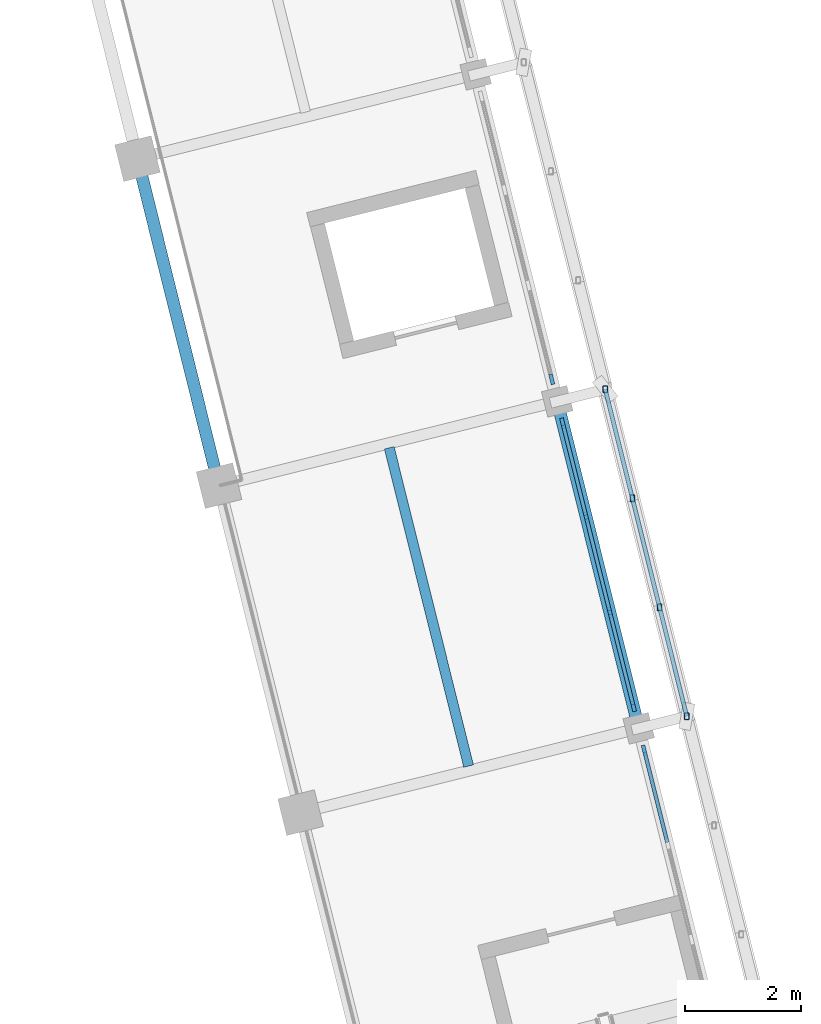
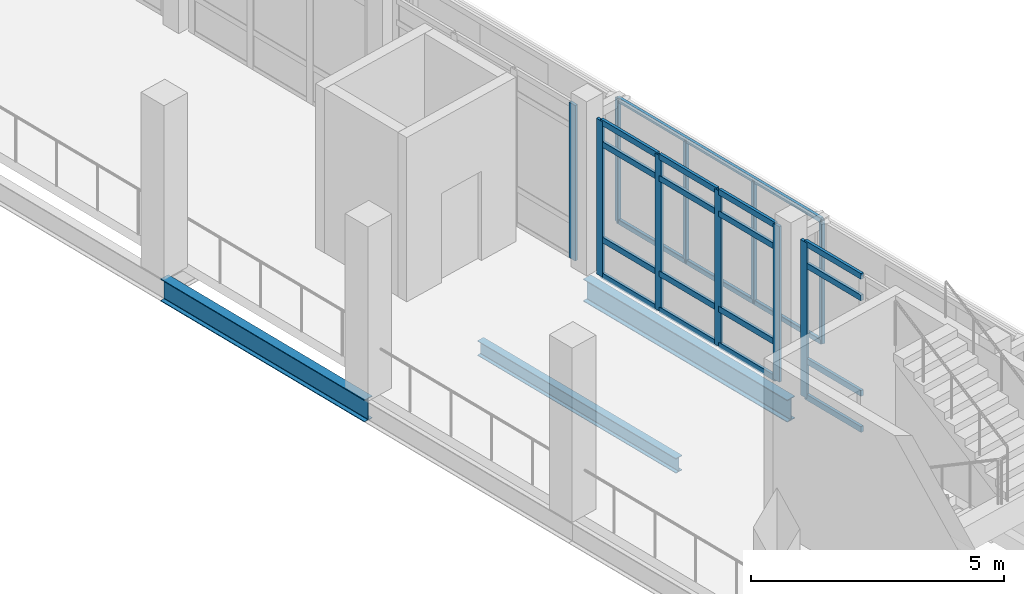
# One storey, part 19 of 137: 28 members, 3 beams, 3 elements without a shape of their own.
"""IFC4 building model written with IfcOpenShell, lengths in metres."""

from ifc_helpers import new_model, si_unit, direction, frame, origin, origin_2d, place, context, subcontext, project, spatial, rectangle, hollow_rectangle, i_section, extrude, material, material_profile, profile_set, type_object, element, aggregate, save


model = new_model("IFC4")

# Units and contexts
model_context = context("Model", 3, precision=1e-05, world=origin(), true_north=direction((0.0, 1.0)))
body_context = subcontext(model_context, "Body", "Model", "MODEL_VIEW")
ifc_project = project(units=[si_unit("LENGTHUNIT", "METRE"), si_unit("AREAUNIT", "SQUARE_METRE"), si_unit("VOLUMEUNIT", "CUBIC_METRE"), si_unit("PLANEANGLEUNIT", "RADIAN"), si_unit("MASSUNIT", "GRAM", prefix="KILO")], contexts=[model_context])

# Site, building, storey
site_placement = place(None, origin())
site = spatial("IfcSite", under=ifc_project, at=site_placement, CompositionType="ELEMENT")
building_placement = place(site_placement, origin())
building = spatial("IfcBuilding", under=site, at=building_placement, Name="Cinderway Yard Community Centre", CompositionType="ELEMENT")
storey_placement = place(building_placement, frame((0.0, 0.0, 4.800048828125)))
storey = spatial("IfcBuildingStorey", under=building, at=storey_placement, Name="L01", CompositionType="ELEMENT", Elevation=4.800048828125)

# Curtain wall, member
ifc_material_1 = material(Name="Aluminium 6063-T6", Category="aluminium")
curtain_wall_type = type_object("IfcCurtainWallType", Name="ENV-CW-TYPE-04", PredefinedType="USERDEFINED", material=ifc_material_1)
curtain_wall_1_placement = place(storey_placement, origin())
curtain_wall_1 = element("IfcCurtainWall", 1, at=curtain_wall_1_placement, inside=storey, type_object=curtain_wall_type, Name="Main Hall Courtyard Curtain Wall ENV-CW-L01-HS-0010", ObjectType="GLAZED CURTAIN WALL", PredefinedType="USERDEFINED")
ifc_material_profile_1 = material_profile(ifc_material_1, rectangle(XDim=0.06494140625, YDim=0.179931640625, at=origin_2d()), Name="Aluminium 6063-T6")
ifc_profile_set_1 = profile_set([ifc_material_profile_1], Name="Aluminium 6063-T6")
member_type_1 = type_object("IfcMemberType", Name="ENV-CW-MULL-180", PredefinedType="MULLION", material=ifc_profile_set_1)
member_1_placement = place(storey_placement, frame((51.490234375, 38.591796875, 0.0), z_axis=(0.0, 0.0, 1.0), x_axis=(-0.97030436752, -0.241887234827, 0.0)))
member_1 = element("IfcMember", 2, at=member_1_placement, type_object=member_type_1, Name="CW-04 mullion 4", PredefinedType="MULLION", context=body_context, shape_type="SweptSolid", body=[
    extrude(rectangle(XDim=0.06494140625, YDim=0.179931640625, at=origin_2d()), origin(), (0.0, 0.0, 1.0), 3.75),
])

# Curtain wall, members
curtain_wall_2_placement = place(storey_placement, origin())
curtain_wall_2 = element("IfcCurtainWall", 3, at=curtain_wall_2_placement, inside=storey, type_object=curtain_wall_type, Name="Main Hall Courtyard Curtain Wall ENV-CW-L01-HS-0011", ObjectType="GLAZED CURTAIN WALL", PredefinedType="USERDEFINED")
member_2_placement = place(storey_placement, frame((51.3017578125, 39.34814453125, 0.0), z_axis=(0.0, 0.0, 1.0), x_axis=(-0.97030436752, -0.241887234827, 0.0)))
member_2 = element("IfcMember", 4, at=member_2_placement, type_object=member_type_1, Name="CW-04 mullion 1", PredefinedType="MULLION", context=body_context, shape_type="SweptSolid", body=[
    extrude(rectangle(XDim=0.06494140625, YDim=0.179931640625, at=origin_2d()), origin(), (0.0, 0.0, 1.0), 3.75),
])
member_3_placement = place(storey_placement, frame((50.8994140625, 40.96240234375, 0.0), z_axis=(0.0, 0.0, 1.0), x_axis=(-0.97030436752, -0.241887234827, 0.0)))
member_3 = element("IfcMember", 5, at=member_3_placement, type_object=member_type_1, Name="CW-04 mullion 2", PredefinedType="MULLION", context=body_context, shape_type="SweptSolid", body=[
    extrude(rectangle(XDim=0.06494140625, YDim=0.179931640625, at=origin_2d()), origin(), (0.0, 0.0, 1.0), 3.75),
])
member_4_placement = place(storey_placement, frame((50.48974609375, 42.605712890625, 0.0), z_axis=(0.0, 0.0, 1.0), x_axis=(-0.97030436752, -0.241887234827, 0.0)))
member_4 = element("IfcMember", 6, at=member_4_placement, type_object=member_type_1, Name="CW-04 mullion 3", PredefinedType="MULLION", context=body_context, shape_type="SweptSolid", body=[
    extrude(rectangle(XDim=0.06494140625, YDim=0.179931640625, at=origin_2d()), origin(), (0.0, 0.0, 1.0), 3.75),
])
member_5_placement = place(storey_placement, frame((50.087158203125, 44.219970703125, 0.0), z_axis=(0.0, 0.0, 1.0), x_axis=(-0.97030436752, -0.241887234827, 0.0)))
member_5 = element("IfcMember", 7, at=member_5_placement, type_object=member_type_1, Name="CW-04 mullion 4", PredefinedType="MULLION", context=body_context, shape_type="SweptSolid", body=[
    extrude(rectangle(XDim=0.06494140625, YDim=0.179931640625, at=origin_2d()), origin(), (0.0, 0.0, 1.0), 3.75),
])

# Curtain wall, member
curtain_wall_3_placement = place(storey_placement, origin())
curtain_wall_3 = element("IfcCurtainWall", 8, at=curtain_wall_3_placement, inside=storey, type_object=curtain_wall_type, Name="Main Hall Courtyard Curtain Wall ENV-CW-L01-HS-0012", ObjectType="GLAZED CURTAIN WALL", PredefinedType="USERDEFINED")
member_6_placement = place(storey_placement, frame((49.898681640625, 44.97607421875, 0.0), z_axis=(0.0, 0.0, 1.0), x_axis=(-0.970292848611, -0.241933436991, 0.0)))
member_6 = element("IfcMember", 9, at=member_6_placement, type_object=member_type_1, Name="CW-04 mullion 1", PredefinedType="MULLION", context=body_context, shape_type="SweptSolid", body=[
    extrude(rectangle(XDim=0.06494140625, YDim=0.179931640625, at=origin_2d()), origin(), (0.0, 0.0, 1.0), 3.75),
])
aggregate(curtain_wall_3, [member_6])

# Member
ifc_material_profile_2 = material_profile(ifc_material_1, rectangle(XDim=0.06494140625, YDim=0.139892578125, at=origin_2d()), Name="Aluminium 6063-T6")
ifc_profile_set_2 = profile_set([ifc_material_profile_2], Name="Aluminium 6063-T6")
member_type_2 = type_object("IfcMemberType", Name="ENV-CW-TRAN-140", PredefinedType="USERDEFINED", material=ifc_profile_set_2)
member_7_placement = place(storey_placement, frame((51.885498046875, 37.0068359375, 0.030029296875), z_axis=(-0.241926573916, 0.970294559829, 0.0), x_axis=(-0.970294559829, -0.241926573916, 0.0)))
member_7 = element("IfcMember", 10, at=member_7_placement, type_object=member_type_2, Name="CW-04 transom 3.1", ObjectType="TRANSOM", PredefinedType="USERDEFINED", context=body_context, shape_type="SweptSolid", body=[
    extrude(rectangle(XDim=0.06494140625, YDim=0.139892578125, at=origin_2d()), origin(), (0.0, 0.0, 1.0), 1.603515625),
])

member_8_placement = place(storey_placement, frame((51.885498046875, 37.0068359375, 0.89990234375), z_axis=(-0.241926573916, 0.970294559829, 0.0), x_axis=(-0.970294559829, -0.241926573916, 0.0)))
member_8 = element("IfcMember", 11, at=member_8_placement, type_object=member_type_2, Name="CW-04 transom 3.2", ObjectType="TRANSOM", PredefinedType="USERDEFINED", context=body_context, shape_type="SweptSolid", body=[
    extrude(rectangle(XDim=0.06494140625, YDim=0.139892578125, at=origin_2d()), origin(), (0.0, 0.0, 1.0), 1.603515625),
])

member_9_placement = place(storey_placement, frame((51.885498046875, 37.0068359375, 3.199951171875), z_axis=(-0.241926573916, 0.970294559829, 0.0), x_axis=(-0.970294559829, -0.241926573916, 0.0)))
member_9 = element("IfcMember", 12, at=member_9_placement, type_object=member_type_2, Name="CW-04 transom 3.3", ObjectType="TRANSOM", PredefinedType="USERDEFINED", context=body_context, shape_type="SweptSolid", body=[
    extrude(rectangle(XDim=0.06494140625, YDim=0.139892578125, at=origin_2d()), origin(), (0.0, 0.0, 1.0), 1.603515625),
])

member_10_placement = place(storey_placement, frame((51.885498046875, 37.0068359375, 3.719970703125), z_axis=(-0.241926573916, 0.970294559829, 0.0), x_axis=(-0.970294559829, -0.241926573916, 0.0)))
member_10 = element("IfcMember", 13, at=member_10_placement, type_object=member_type_2, Name="CW-04 transom 3.4", ObjectType="TRANSOM", PredefinedType="USERDEFINED", context=body_context, shape_type="SweptSolid", body=[
    extrude(rectangle(XDim=0.06494140625, YDim=0.139892578125, at=origin_2d()), origin(), (0.0, 0.0, 1.0), 1.603515625),
])

aggregate(curtain_wall_1, [member_1, member_7, member_8, member_9, member_10])

member_11_placement = place(storey_placement, frame((51.29443359375, 39.377197265625, 0.030029296875), z_axis=(-0.241926573916, 0.970294559829, 0.0), x_axis=(-0.970294559829, -0.241926573916, 0.0)))
member_11 = element("IfcMember", 14, at=member_11_placement, type_object=member_type_2, Name="CW-04 transom 1.1", ObjectType="TRANSOM", PredefinedType="USERDEFINED", context=body_context, shape_type="SweptSolid", body=[
    extrude(rectangle(XDim=0.06494140625, YDim=0.139892578125, at=origin_2d()), origin(), (0.0, 0.0, 1.0), 1.603515625),
])

member_12_placement = place(storey_placement, frame((51.29443359375, 39.377197265625, 0.89990234375), z_axis=(-0.241926573916, 0.970294559829, 0.0), x_axis=(-0.970294559829, -0.241926573916, 0.0)))
member_12 = element("IfcMember", 15, at=member_12_placement, type_object=member_type_2, Name="CW-04 transom 1.2", ObjectType="TRANSOM", PredefinedType="USERDEFINED", context=body_context, shape_type="SweptSolid", body=[
    extrude(rectangle(XDim=0.06494140625, YDim=0.139892578125, at=origin_2d()), origin(), (0.0, 0.0, 1.0), 1.603515625),
])

member_13_placement = place(storey_placement, frame((51.29443359375, 39.377197265625, 3.199951171875), z_axis=(-0.241926573916, 0.970294559829, 0.0), x_axis=(-0.970294559829, -0.241926573916, 0.0)))
member_13 = element("IfcMember", 16, at=member_13_placement, type_object=member_type_2, Name="CW-04 transom 1.3", ObjectType="TRANSOM", PredefinedType="USERDEFINED", context=body_context, shape_type="SweptSolid", body=[
    extrude(rectangle(XDim=0.06494140625, YDim=0.139892578125, at=origin_2d()), origin(), (0.0, 0.0, 1.0), 1.603515625),
])

member_14_placement = place(storey_placement, frame((51.29443359375, 39.377197265625, 3.719970703125), z_axis=(-0.241926573916, 0.970294559829, 0.0), x_axis=(-0.970294559829, -0.241926573916, 0.0)))
member_14 = element("IfcMember", 17, at=member_14_placement, type_object=member_type_2, Name="CW-04 transom 1.4", ObjectType="TRANSOM", PredefinedType="USERDEFINED", context=body_context, shape_type="SweptSolid", body=[
    extrude(rectangle(XDim=0.06494140625, YDim=0.139892578125, at=origin_2d()), origin(), (0.0, 0.0, 1.0), 1.603515625),
])

member_15_placement = place(storey_placement, frame((50.89208984375, 40.991455078125, 0.030029296875), z_axis=(-0.241937832655, 0.970291752583, 0.0), x_axis=(-0.970291752583, -0.241937832655, 0.0)))
member_15 = element("IfcMember", 18, at=member_15_placement, type_object=member_type_2, Name="CW-04 transom 2.1", ObjectType="TRANSOM", PredefinedType="USERDEFINED", context=body_context, shape_type="SweptSolid", body=[
    extrude(rectangle(XDim=0.06494140625, YDim=0.139892578125, at=origin_2d()), origin(), (0.0, 0.0, 1.0), 1.6337890625),
])

member_16_placement = place(storey_placement, frame((50.89208984375, 40.991455078125, 0.89990234375), z_axis=(-0.241937832655, 0.970291752583, 0.0), x_axis=(-0.970291752583, -0.241937832655, 0.0)))
member_16 = element("IfcMember", 19, at=member_16_placement, type_object=member_type_2, Name="CW-04 transom 2.2", ObjectType="TRANSOM", PredefinedType="USERDEFINED", context=body_context, shape_type="SweptSolid", body=[
    extrude(rectangle(XDim=0.06494140625, YDim=0.139892578125, at=origin_2d()), origin(), (0.0, 0.0, 1.0), 1.6337890625),
])

member_17_placement = place(storey_placement, frame((50.89208984375, 40.991455078125, 3.199951171875), z_axis=(-0.241937832655, 0.970291752583, 0.0), x_axis=(-0.970291752583, -0.241937832655, 0.0)))
member_17 = element("IfcMember", 20, at=member_17_placement, type_object=member_type_2, Name="CW-04 transom 2.3", ObjectType="TRANSOM", PredefinedType="USERDEFINED", context=body_context, shape_type="SweptSolid", body=[
    extrude(rectangle(XDim=0.06494140625, YDim=0.139892578125, at=origin_2d()), origin(), (0.0, 0.0, 1.0), 1.6337890625),
])

member_18_placement = place(storey_placement, frame((50.89208984375, 40.991455078125, 3.719970703125), z_axis=(-0.241937832655, 0.970291752583, 0.0), x_axis=(-0.970291752583, -0.241937832655, 0.0)))
member_18 = element("IfcMember", 21, at=member_18_placement, type_object=member_type_2, Name="CW-04 transom 2.4", ObjectType="TRANSOM", PredefinedType="USERDEFINED", context=body_context, shape_type="SweptSolid", body=[
    extrude(rectangle(XDim=0.06494140625, YDim=0.139892578125, at=origin_2d()), origin(), (0.0, 0.0, 1.0), 1.6337890625),
])

member_19_placement = place(storey_placement, frame((50.482421875, 42.634765625, 0.030029296875), z_axis=(-0.241926573916, 0.970294559829, 0.0), x_axis=(-0.970294559829, -0.241926573916, 0.0)))
member_19 = element("IfcMember", 22, at=member_19_placement, type_object=member_type_2, Name="CW-04 transom 3.1", ObjectType="TRANSOM", PredefinedType="USERDEFINED", context=body_context, shape_type="SweptSolid", body=[
    extrude(rectangle(XDim=0.06494140625, YDim=0.139892578125, at=origin_2d()), origin(), (0.0, 0.0, 1.0), 1.603515625),
])

member_20_placement = place(storey_placement, frame((50.482421875, 42.634765625, 0.89990234375), z_axis=(-0.241926573916, 0.970294559829, 0.0), x_axis=(-0.970294559829, -0.241926573916, 0.0)))
member_20 = element("IfcMember", 23, at=member_20_placement, type_object=member_type_2, Name="CW-04 transom 3.2", ObjectType="TRANSOM", PredefinedType="USERDEFINED", context=body_context, shape_type="SweptSolid", body=[
    extrude(rectangle(XDim=0.06494140625, YDim=0.139892578125, at=origin_2d()), origin(), (0.0, 0.0, 1.0), 1.603515625),
])

member_21_placement = place(storey_placement, frame((50.482421875, 42.634765625, 3.199951171875), z_axis=(-0.241926573916, 0.970294559829, 0.0), x_axis=(-0.970294559829, -0.241926573916, 0.0)))
member_21 = element("IfcMember", 24, at=member_21_placement, type_object=member_type_2, Name="CW-04 transom 3.3", ObjectType="TRANSOM", PredefinedType="USERDEFINED", context=body_context, shape_type="SweptSolid", body=[
    extrude(rectangle(XDim=0.06494140625, YDim=0.139892578125, at=origin_2d()), origin(), (0.0, 0.0, 1.0), 1.603515625),
])

member_22_placement = place(storey_placement, frame((50.482421875, 42.634765625, 3.719970703125), z_axis=(-0.241926573916, 0.970294559829, 0.0), x_axis=(-0.970294559829, -0.241926573916, 0.0)))
member_22 = element("IfcMember", 25, at=member_22_placement, type_object=member_type_2, Name="CW-04 transom 3.4", ObjectType="TRANSOM", PredefinedType="USERDEFINED", context=body_context, shape_type="SweptSolid", body=[
    extrude(rectangle(XDim=0.06494140625, YDim=0.139892578125, at=origin_2d()), origin(), (0.0, 0.0, 1.0), 1.603515625),
])

aggregate(curtain_wall_2, [member_2, member_3, member_4, member_5, member_11, member_12, member_13, member_14, member_15, member_16, member_17, member_18, member_19, member_20, member_21, member_22])

# Members
ifc_material_2 = material(Name="Steel S355", Category="steel")
ifc_material_profile_3 = material_profile(ifc_material_2, hollow_rectangle(XDim=0.080078125, YDim=0.1201171875, WallThickness=0.00634765625, InnerFilletRadius=0.00634765625, OuterFilletRadius=0.0126953125, at=origin_2d()), Name="Steel S355")
ifc_profile_set_3 = profile_set([ifc_material_profile_3], Name="Steel S355")
member_type_3 = type_object("IfcMemberType", Name="ENV-MEM-SCREEN-RAIL-120", PredefinedType="STRINGER", material=ifc_profile_set_3)
member_23_placement = place(storey_placement, frame((52.220947265625, 39.176025390625, 0.68994140625), z_axis=(0.0, 0.0, 1.0), x_axis=(1.0, 0.0, 0.0)))
element("IfcMember", 26, at=member_23_placement, inside=storey, type_object=member_type_3, Name="Screen vertical mullion 0788", PredefinedType="STRINGER", context=body_context, shape_type="SweptSolid", body=[
    extrude(hollow_rectangle(XDim=0.080078125, YDim=0.1201171875, WallThickness=0.00634765625, InnerFilletRadius=0.00634765625, OuterFilletRadius=0.0126953125, at=origin_2d()), origin(), (0.0, 0.0, 1.0), 2.969970703125),
])
for number, where, z_axis, x_axis, name in (
    (27, (52.220947265625, 39.176025390625, 0.7099609375), (-0.241862090534, 0.970310635396, 0.0), (-0.970310635396, -0.241862090534, 0.0), "Screen support rail 0790-BOT"),
    (28, (52.220947265625, 39.176025390625, 3.639892578125), (-0.241862090534, 0.970310635396, 0.0), (-0.970310635396, -0.241862090534, 0.0), "Screen support rail 0791-TOP"),
):
    element("IfcMember", number, at=place(storey_placement, frame(where, z_axis=z_axis, x_axis=x_axis)), inside=storey, type_object=member_type_3, Name=name, PredefinedType="STRINGER", context=body_context, shape_type="SweptSolid", body=[
        extrude(hollow_rectangle(XDim=0.080078125, YDim=0.1201171875, WallThickness=0.00634765625, InnerFilletRadius=0.00634765625, OuterFilletRadius=0.0126953125, at=origin_2d()), origin(), (0.0, 0.0, 1.0), 5.800048828125),
    ])
for number, where, z_axis, x_axis, name in (
    (29, (51.7529296875, 41.052001953125, 0.68994140625), (0.0, 0.0, 1.0), (1.0, 0.0, 0.0), "Screen vertical mullion 0792"),
    (30, (51.285888671875, 42.927978515625, 0.68994140625), (0.0, 0.0, 1.0), (1.0, 0.0, 0.0), "Screen vertical mullion 0793"),
    (31, (50.818115234375, 44.803955078125, 0.68994140625), (0.0, 0.0, 1.0), (1.0, 0.0, 0.0), "Screen vertical mullion 0794"),
):
    element("IfcMember", number, at=place(storey_placement, frame(where, z_axis=z_axis, x_axis=x_axis)), inside=storey, type_object=member_type_3, Name=name, PredefinedType="STRINGER", context=body_context, shape_type="SweptSolid", body=[
        extrude(hollow_rectangle(XDim=0.080078125, YDim=0.1201171875, WallThickness=0.00634765625, InnerFilletRadius=0.00634765625, OuterFilletRadius=0.0126953125, at=origin_2d()), origin(), (0.0, 0.0, 1.0), 2.969970703125),
    ])

# Beams
ifc_material_profile_4 = material_profile(ifc_material_2, i_section(OverallWidth=0.172119140625, OverallDepth=0.35791015625, WebThickness=0.0078125, FlangeThickness=0.01318359375, FilletRadius=0.010986328125, at=origin_2d()), Name="Steel S355")
ifc_profile_set_4 = profile_set([ifc_material_profile_4], Name="Steel S355")
beam_type_1 = type_object("IfcBeamType", Name="STR-BM-W360X57", PredefinedType="JOIST", material=ifc_profile_set_4)
beam_1_placement = place(storey_placement, frame((48.467041015625, 38.319091796875, -0.4189453125), z_axis=(-0.241945438317, 0.970289856114, 0.0), x_axis=(-0.970289856114, -0.241945438317, 0.0)))
element("IfcBeam", 32, at=beam_1_placement, inside=storey, type_object=beam_type_1, Name="Secondary joist STR-BM-L01-SJ03-0040", PredefinedType="JOIST", context=body_context, shape_type="SweptSolid", body=[
    extrude(i_section(OverallWidth=0.172119140625, OverallDepth=0.35791015625, WebThickness=0.0078125, FlangeThickness=0.01318359375, FilletRadius=0.010986328125, at=origin_2d()), origin(), (0.0, 0.0, 1.0), 5.645751953125),
])
ifc_material_profile_5 = material_profile(ifc_material_2, i_section(OverallWidth=0.2109375, OverallDepth=0.5390625, WebThickness=0.010986328125, FlangeThickness=0.017333984375, FilletRadius=0.013916015625, at=origin_2d()), Name="Steel S355")
ifc_profile_set_5 = profile_set([ifc_material_profile_5], Name="Steel S355")
beam_type_2 = type_object("IfcBeamType", Name="STR-BM-W530X109", PredefinedType="BEAM", material=ifc_profile_set_5)
beam_2_placement = place(storey_placement, frame((44.1708984375, 43.14599609375, -0.510009765625), z_axis=(-0.241862090534, 0.970310635396, 0.0), x_axis=(-0.970310635396, -0.241862090534, 0.0)))
element("IfcBeam", 33, at=beam_2_placement, inside=storey, type_object=beam_type_2, Name="Transverse girder STR-BM-L01-SB06-0028", PredefinedType="BEAM", context=body_context, shape_type="SweptSolid", body=[
    extrude(i_section(OverallWidth=0.2109375, OverallDepth=0.5390625, WebThickness=0.010986328125, FlangeThickness=0.017333984375, FilletRadius=0.013916015625, at=origin_2d()), origin(), (0.0, 0.0, 1.0), 5.800048828125),
])
beam_3_placement = place(storey_placement, frame((51.39599609375, 38.969970703125, -0.510009765625), z_axis=(-0.2419017199, 0.97030075642, 0.0), x_axis=(-0.97030075642, -0.2419017199, 0.0)))
element("IfcBeam", 34, at=beam_3_placement, inside=storey, type_object=beam_type_2, Name="Transverse girder STR-BM-L01-SB06-0034", PredefinedType="BEAM", context=body_context, shape_type="SweptSolid", body=[
    extrude(i_section(OverallWidth=0.2109375, OverallDepth=0.5390625, WebThickness=0.010986328125, FlangeThickness=0.017333984375, FilletRadius=0.013916015625, at=origin_2d()), origin(), (0.0, 0.0, 1.0), 5.80029296875),
])

save(model, "model.ifc")
